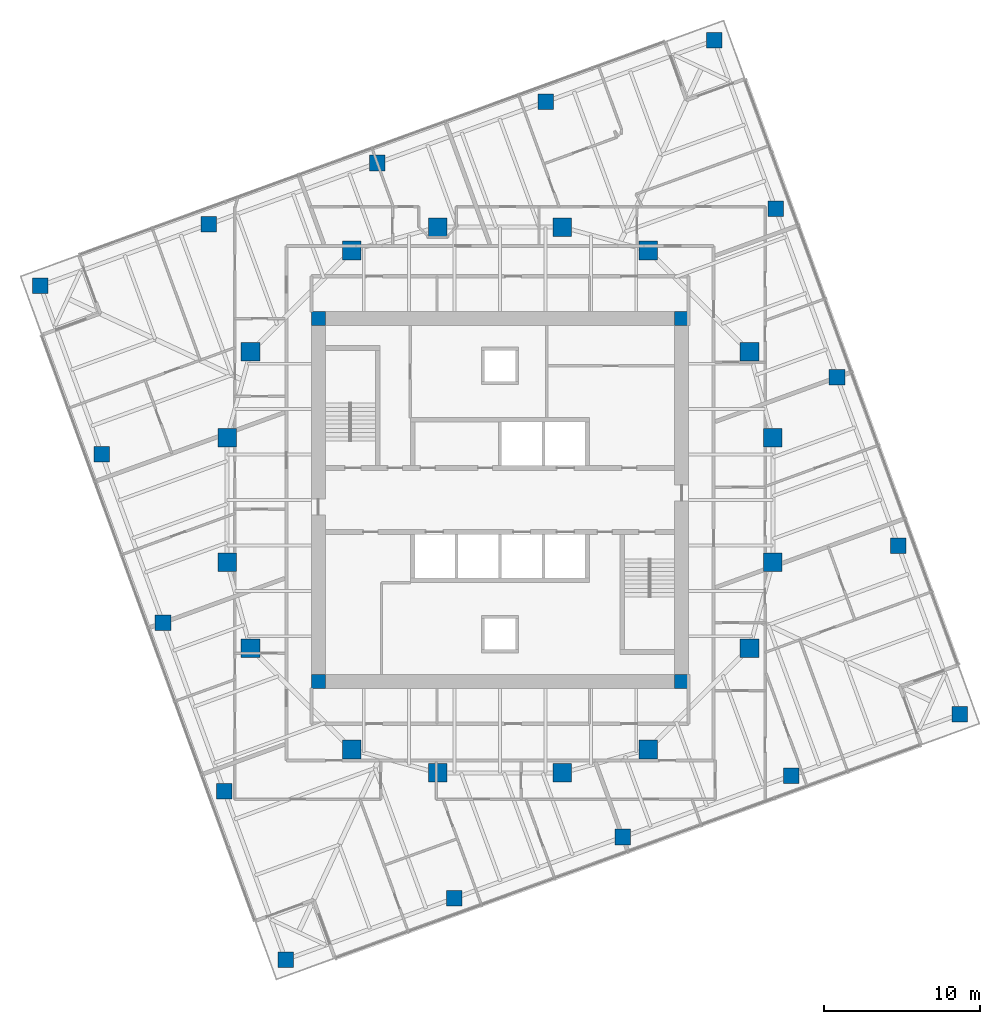
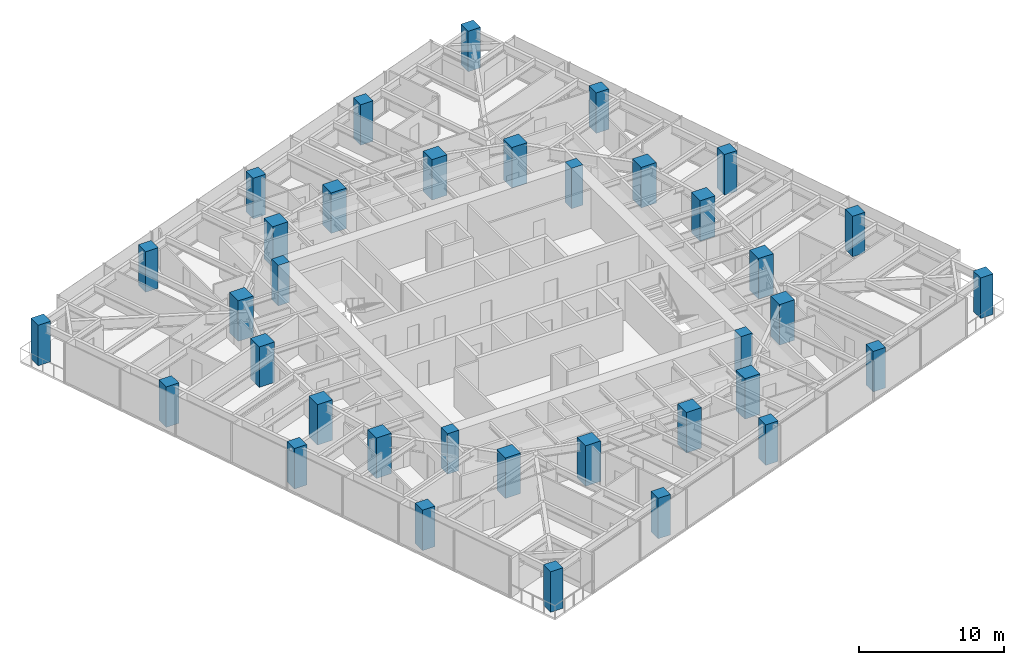
# One storey, part 1 of 13: 36 columns.
"""IFC4 building model written with IfcOpenShell, lengths in metres."""

import ifcopenshell
import ifcopenshell.guid

model = None  # the IFC model being written
_history = None  # IfcOwnerHistory: only IFC2X3 demands one
_inside = {}  # id of a spatial element -> (the spatial element, [elements in it])
_under = {}  # id of a project, library or spatial element -> (it, [spatial elements below it])
_declared = {}  # id of a project -> (the project, [libraries it declares])
_typed = {}  # id of a type object -> (the type object, [elements of that type])
_made_of = {}  # id of a material, layer set ... -> (it, [elements and type objects made of it])


def new_model(schema):
    """Start an empty IFC model of exactly this schema.

    Asked for "IFC4X3", IfcOpenShell would pick the latest addendum, in which some entities
    have other attributes; the version numbers below select the first issue.
    IFC2X3 requires an IfcOwnerHistory on every rooted entity: one is made here for all.
    """
    global model, _history
    if schema == "IFC4X3":
        model = ifcopenshell.file(schema_version=(4, 3, 0, 0))
    else:
        model = ifcopenshell.file(schema=schema)
    _inside.clear()
    _under.clear()
    _declared.clear()
    _typed.clear()
    _made_of.clear()
    _history = None
    if model.schema == "IFC2X3":
        org = make("IfcOrganization", Name="unknown")
        user = make(
            "IfcPersonAndOrganization",
            ThePerson=make("IfcPerson", FamilyName="unknown"),
            TheOrganization=org,
        )
        app = make(
            "IfcApplication",
            ApplicationDeveloper=org,
            Version="unknown",
            ApplicationFullName="unknown",
            ApplicationIdentifier="unknown",
        )
        _history = make(
            "IfcOwnerHistory",
            OwningUser=user,
            OwningApplication=app,
            ChangeAction="ADDED",
            CreationDate=0,
        )
    return model


def make(cls, **values):
    """One entity of the class cls with the attributes given. An attribute that is None is left unset."""
    return model.create_entity(
        cls, **{name: value for name, value in values.items() if value is not None}
    )


def rooted(cls, **values):
    """An entity with a GlobalId (a new one), such as an element, a storey or a relation."""
    return make(cls, GlobalId=ifcopenshell.guid.new(), OwnerHistory=_history, **values)


def si_unit(unit_type, name, prefix=None):
    """IfcSIUnit, for example si_unit("LENGTHUNIT", "METRE", prefix="MILLI")."""
    return make("IfcSIUnit", UnitType=unit_type, Prefix=prefix, Name=name)


def assignment(units):
    """IfcUnitAssignment: the units of a project."""
    return None if units is None else make("IfcUnitAssignment", Units=units)


def point(xyz):
    """IfcCartesianPoint."""
    return None if xyz is None else make("IfcCartesianPoint", Coordinates=xyz)


def direction(xyz):
    """IfcDirection."""
    return None if xyz is None else make("IfcDirection", DirectionRatios=xyz)


def frame(location, z_axis=None, x_axis=None):
    """IfcAxis2Placement3D, a coordinate frame: its origin and axes. An axis left out is left unset."""
    return make(
        "IfcAxis2Placement3D",
        Location=point(location),
        Axis=direction(z_axis),
        RefDirection=direction(x_axis),
    )


def frame_2d(location, x_axis=None):
    """IfcAxis2Placement2D, a coordinate frame in the plane: its origin and x axis."""
    return make(
        "IfcAxis2Placement2D", Location=point(location), RefDirection=direction(x_axis)
    )


def origin():
    """The frame at (0, 0, 0) with its axes left unset."""
    return frame((0.0, 0.0, 0.0))


def origin_2d():
    """The frame at (0, 0) in the plane with its x axis left unset."""
    return frame_2d((0.0, 0.0))


def place(relative_to, where):
    """IfcLocalPlacement: puts the frame where relative to a parent placement (None: the world)."""
    return make(
        "IfcLocalPlacement", PlacementRelTo=relative_to, RelativePlacement=where
    )


def context(
    kind, dimensions, precision=None, world=None, true_north=None, identifier=None
):
    """IfcGeometricRepresentationContext, for example the 3D "Model" context."""
    return make(
        "IfcGeometricRepresentationContext",
        ContextIdentifier=identifier,
        ContextType=kind,
        CoordinateSpaceDimension=dimensions,
        Precision=precision,
        WorldCoordinateSystem=world,
        TrueNorth=true_north,
    )


def subcontext(parent, identifier, kind, view, scale=None):
    """IfcGeometricRepresentationSubContext, for example "Body" below "Model"."""
    return make(
        "IfcGeometricRepresentationSubContext",
        ContextIdentifier=identifier,
        ContextType=kind,
        ParentContext=parent,
        TargetScale=scale,
        TargetView=view,
    )


def project(units=None, contexts=None):
    """IfcProject with its units and contexts."""
    return rooted(
        "IfcProject",
        Name="project",
        RepresentationContexts=contexts,
        UnitsInContext=assignment(units),
    )


def spatial(cls, under=None, at=None, **own):
    """A site, building, storey or space (cls), placed at a placement, below another one or the project."""
    s = rooted(cls, ObjectPlacement=at, **own)
    if under is not None:
        _under.setdefault(under.id(), (under, []))[1].append(s)
    return s


def profile(cls, at=None, kind="AREA", **sizes):
    """A parametric profile (cls). Its sizes go by their IFC names, for example OverallWidth=200.0."""
    return make(cls, ProfileType=kind, Position=at, **sizes)


def rectangle(**sizes):
    """IfcRectangleProfileDef."""
    return profile("IfcRectangleProfileDef", **sizes)


def extrude(swept, where, along, depth):
    """IfcExtrudedAreaSolid: the profile swept, set in the frame where, extruded along a direction by depth."""
    return make(
        "IfcExtrudedAreaSolid",
        SweptArea=swept,
        Position=where,
        ExtrudedDirection=direction(along),
        Depth=depth,
    )


def shape(context_of_items, identifier, shape_type, items):
    """IfcShapeRepresentation: the items that make up one representation, for example the "Body"."""
    return make(
        "IfcShapeRepresentation",
        ContextOfItems=context_of_items,
        RepresentationIdentifier=identifier,
        RepresentationType=shape_type,
        Items=items,
    )


def material(Name=None, Category=None):
    """IfcMaterial."""
    return make("IfcMaterial", Name=Name, Category=Category)


def material_profile(
    of_material, cross_section, Name=None, Category=None, Priority=None
):
    """IfcMaterialProfile: a cross section and its material."""
    return make(
        "IfcMaterialProfile",
        Name=Name,
        Material=of_material,
        Profile=cross_section,
        Priority=Priority,
        Category=Category,
    )


def profile_set(profiles, Name=None, composite=None):
    """IfcMaterialProfileSet."""
    return make(
        "IfcMaterialProfileSet",
        Name=Name,
        MaterialProfiles=profiles,
        CompositeProfile=composite,
    )


def made_of(thing, what):
    """Note that an element or type object is made of a material, layer set ...; save() writes the relation."""
    if what is not None:
        _made_of.setdefault(what.id(), (what, []))[1].append(thing)
    return thing


def type_object(cls, material=None, **own):
    """A type object (cls), such as IfcWallType, which elements share."""
    return made_of(rooted(cls, **own), material)


def element(
    cls,
    number,
    at=None,
    inside=None,
    cuts=None,
    type_object=None,
    material=None,
    context=None,
    identifier="Body",
    shape_type=None,
    held_by="IfcProductDefinitionShape",
    body=None,
    shapes=None,
    **own,
):
    """One element of the class cls, such as IfcWall. Its Tag is "e" and its number.

    at: its placement. inside: the storey or other place that contains it. cuts: it is an
    opening in that element (IfcRelVoidsElement). A single representation is given by context,
    identifier, shape_type and body (its items); several are given by shapes. held_by: the class
    of the entity that holds the representations. save() writes the other relations.
    """
    e = rooted(cls, Tag="e%d" % number, ObjectPlacement=at, **own)
    if body is not None:
        shapes = [shape(context, identifier, shape_type, body)]
    if shapes is not None:
        e.Representation = make(held_by, Representations=shapes)
    if inside is not None:
        _inside.setdefault(inside.id(), (inside, []))[1].append(e)
    if cuts is not None:
        rooted(
            "IfcRelVoidsElement", RelatingBuildingElement=cuts, RelatedOpeningElement=e
        )
    if type_object is not None:
        _typed.setdefault(type_object.id(), (type_object, []))[1].append(e)
    return made_of(e, material)


def aggregate(whole, parts):
    """IfcRelAggregates: a whole, such as a stair, and the parts it consists of."""
    return rooted("IfcRelAggregates", RelatingObject=whole, RelatedObjects=parts)


def save(model, path):
    """Write the relations noted so far, then the file.

    IfcRelAggregates (storeys below a building ...), IfcRelContainedInSpatialStructure (elements
    in a storey), IfcRelDefinesByType, IfcRelAssociatesMaterial and IfcRelDeclares: one each for
    every whole, place, type object, material and project.
    """
    for whole, parts in _under.values():
        aggregate(whole, parts)
    for where, things in _inside.values():
        rooted(
            "IfcRelContainedInSpatialStructure",
            RelatedElements=things,
            RelatingStructure=where,
        )
    for kind, things in _typed.values():
        rooted("IfcRelDefinesByType", RelatedObjects=things, RelatingType=kind)
    for what, things in _made_of.values():
        rooted("IfcRelAssociatesMaterial", RelatedObjects=things, RelatingMaterial=what)
    for by, libraries in _declared.values():
        rooted("IfcRelDeclares", RelatingContext=by, RelatedDefinitions=libraries)
    model.write(path)


model = new_model("IFC4")

# Units and contexts
model_context = context("Model", 3, precision=1e-05, world=origin(), true_north=direction((0.0, 1.0)))
body_context = subcontext(model_context, "Body", "Model", "MODEL_VIEW")
ifc_project = project(units=[si_unit("LENGTHUNIT", "METRE"), si_unit("AREAUNIT", "SQUARE_METRE"), si_unit("VOLUMEUNIT", "CUBIC_METRE"), si_unit("PLANEANGLEUNIT", "RADIAN"), si_unit("MASSUNIT", "GRAM", prefix="KILO")], contexts=[model_context])

# Site, building, storey
site_placement = place(None, origin())
site = spatial("IfcSite", under=ifc_project, at=site_placement, CompositionType="ELEMENT")
building_placement = place(site_placement, origin())
building = spatial("IfcBuilding", under=site, at=building_placement, Name="Torsade Residences", CompositionType="ELEMENT")
storey_placement = place(building_placement, frame((0.0, 0.0, 147.199951171875)))
storey = spatial("IfcBuildingStorey", under=building, at=storey_placement, Name="L40", CompositionType="ELEMENT", Elevation=147.199951171875)

# Columns
ifc_material_1 = material(Name="Concrete 80 MPa", Category="concrete")
ifc_material_profile_1 = material_profile(ifc_material_1, rectangle(XDim=0.89990234375, YDim=0.89990234375, at=origin_2d()), Name="RC 900x900")
ifc_profile_set_1 = profile_set([ifc_material_profile_1], Name="Concrete 80 MPa")
column_type_1 = type_object("IfcColumnType", Name="CORE CORNER COLUMN RC 900x900", PredefinedType="COLUMN", material=ifc_profile_set_1)
for number, where, z_axis, x_axis, name in (
    (1, (28.35009765625, 18.35009765625, 0.0), (0.0, 0.0, 1.0), (1.0, 0.0, 0.0), "Core corner column CC1 L40"),
    (2, (51.64990234375, 18.35009765625, 0.0), (0.0, 0.0, 1.0), (1.0, 0.0, 0.0), "Core corner column CC2 L40"),
    (3, (51.64990234375, 41.64990234375, 0.0), (0.0, 0.0, 1.0), (1.0, 0.0, 0.0), "Core corner column CC3 L40"),
    (4, (28.35009765625, 41.64990234375, 0.0), (0.0, 0.0, 1.0), (1.0, 0.0, 0.0), "Core corner column CC4 L40"),
):
    element("IfcColumn", number, at=place(storey_placement, frame(where, z_axis=z_axis, x_axis=x_axis)), inside=storey, type_object=column_type_1, Name=name, PredefinedType="COLUMN", context=body_context, shape_type="SweptSolid", body=[
        extrude(rectangle(XDim=0.89990234375, YDim=0.89990234375, at=origin_2d()), origin(), (0.0, 0.0, 1.0), 3.400146484375),
    ])
ifc_material_2 = material(Name="Concrete 80 MPa", Category="concrete")
ifc_material_profile_2 = material_profile(ifc_material_2, rectangle(XDim=1.199951171875, YDim=1.199951171875, at=origin_2d()), Name="RC 1200x1200")
ifc_profile_set_2 = profile_set([ifc_material_profile_2], Name="Concrete 80 MPa")
column_type_2 = type_object("IfcColumnType", Name="INNER RING COLUMN RC 1200x1200", PredefinedType="COLUMN", material=ifc_profile_set_2)
for number, where, z_axis, x_axis, name in (
    (5, (57.5, 26.0, 0.0), (0.0, 0.0, 1.0), (1.0, 0.0, 0.0), "Inner ring column IR01 L40"),
    (6, (57.5, 34.0, 0.0), (0.0, 0.0, 1.0), (1.0, 0.0, 0.0), "Inner ring column IR02 L40"),
    (7, (56.0, 39.5, 0.0), (0.0, 0.0, 1.0), (1.0, 0.0, 0.0), "Inner ring column IR03 L40"),
    (8, (49.5, 46.0, 0.0), (0.0, 0.0, 1.0), (1.0, 0.0, 0.0), "Inner ring column IR04 L40"),
    (9, (44.0, 47.5, 0.0), (0.0, 0.0, 1.0), (1.0, 0.0, 0.0), "Inner ring column IR05 L40"),
    (10, (36.0, 47.5, 0.0), (0.0, 0.0, 1.0), (1.0, 0.0, 0.0), "Inner ring column IR06 L40"),
    (11, (30.5, 46.0, 0.0), (0.0, 0.0, 1.0), (1.0, 0.0, 0.0), "Inner ring column IR07 L40"),
    (12, (24.0, 39.5, 0.0), (0.0, 0.0, 1.0), (1.0, 0.0, 0.0), "Inner ring column IR08 L40"),
    (13, (22.5, 34.0, 0.0), (0.0, 0.0, 1.0), (1.0, 0.0, 0.0), "Inner ring column IR09 L40"),
    (14, (22.5, 26.0, 0.0), (0.0, 0.0, 1.0), (1.0, 0.0, 0.0), "Inner ring column IR10 L40"),
    (15, (24.0, 20.5, 0.0), (0.0, 0.0, 1.0), (1.0, 0.0, 0.0), "Inner ring column IR11 L40"),
    (16, (30.5, 14.0, 0.0), (0.0, 0.0, 1.0), (1.0, 0.0, 0.0), "Inner ring column IR12 L40"),
    (17, (36.0, 12.5, 0.0), (0.0, 0.0, 1.0), (1.0, 0.0, 0.0), "Inner ring column IR13 L40"),
    (18, (44.0, 12.5, 0.0), (0.0, 0.0, 1.0), (1.0, 0.0, 0.0), "Inner ring column IR14 L40"),
    (19, (49.5, 14.0, 0.0), (0.0, 0.0, 1.0), (1.0, 0.0, 0.0), "Inner ring column IR15 L40"),
    (20, (56.0, 20.5, 0.0), (0.0, 0.0, 1.0), (1.0, 0.0, 0.0), "Inner ring column IR16 L40"),
):
    element("IfcColumn", number, at=place(storey_placement, frame(where, z_axis=z_axis, x_axis=x_axis)), inside=storey, type_object=column_type_2, Name=name, PredefinedType="COLUMN", context=body_context, shape_type="SweptSolid", body=[
        extrude(rectangle(XDim=1.199951171875, YDim=1.199951171875, at=origin_2d()), origin(), (0.0, 0.0, 1.0), 3.400146484375),
    ])
ifc_material_3 = material(Name="Concrete 80 MPa", Category="concrete")
ifc_material_profile_3 = material_profile(ifc_material_3, rectangle(XDim=1.0, YDim=1.0, at=origin_2d()), Name="RC 1000x1000")
ifc_profile_set_3 = profile_set([ifc_material_profile_3], Name="Concrete 80 MPa")
column_type_3 = type_object("IfcColumnType", Name="TOWER COLUMN RC 1000x1000", PredefinedType="COLUMN", material=ifc_profile_set_3)
for number, where, z_axis, x_axis, name in (
    (21, (26.25341796875, 0.5205078125, 0.0), (0.0, 0.0, 1.0), (1.0, 0.0, 0.0), "Column TC5-01 L40"),
    (22, (37.06005859375, 4.453857421875, 0.0), (0.0, 0.0, 1.0), (1.0, 0.0, 0.0), "Column TC5-02 L40"),
    (23, (47.866455078125, 8.386962890625, 0.0), (0.0, 0.0, 1.0), (1.0, 0.0, 0.0), "Column TC5-03 L40"),
    (24, (58.6728515625, 12.3203125, 0.0), (0.0, 0.0, 1.0), (1.0, 0.0, 0.0), "Column TC5-04 L40"),
    (25, (69.4794921875, 16.25341796875, 0.0), (0.0, 0.0, 1.0), (1.0, 0.0, 0.0), "Column TC5-05 L40"),
    (26, (65.546142578125, 27.06005859375, 0.0), (0.0, 0.0, 1.0), (1.0, 0.0, 0.0), "Column TC5-06 L40"),
    (27, (61.613037109375, 37.866455078125, 0.0), (0.0, 0.0, 1.0), (1.0, 0.0, 0.0), "Column TC5-07 L40"),
    (28, (57.6796875, 48.6728515625, 0.0), (0.0, 0.0, 1.0), (1.0, 0.0, 0.0), "Column TC5-08 L40"),
    (29, (53.74658203125, 59.4794921875, 0.0), (0.0, 0.0, 1.0), (1.0, 0.0, 0.0), "Column TC5-09 L40"),
    (30, (42.93994140625, 55.546142578125, 0.0), (0.0, 0.0, 1.0), (1.0, 0.0, 0.0), "Column TC5-10 L40"),
    (31, (32.133544921875, 51.613037109375, 0.0), (0.0, 0.0, 1.0), (1.0, 0.0, 0.0), "Column TC5-11 L40"),
    (32, (21.3271484375, 47.6796875, 0.0), (0.0, 0.0, 1.0), (1.0, 0.0, 0.0), "Column TC5-12 L40"),
    (33, (10.5205078125, 43.74658203125, 0.0), (0.0, 0.0, 1.0), (1.0, 0.0, 0.0), "Column TC5-13 L40"),
    (34, (14.453857421875, 32.93994140625, 0.0), (0.0, 0.0, 1.0), (1.0, 0.0, 0.0), "Column TC5-14 L40"),
    (35, (18.386962890625, 22.133544921875, 0.0), (0.0, 0.0, 1.0), (1.0, 0.0, 0.0), "Column TC5-15 L40"),
    (36, (22.3203125, 11.3271484375, 0.0), (0.0, 0.0, 1.0), (1.0, 0.0, 0.0), "Column TC5-16 L40"),
):
    element("IfcColumn", number, at=place(storey_placement, frame(where, z_axis=z_axis, x_axis=x_axis)), inside=storey, type_object=column_type_3, Name=name, PredefinedType="COLUMN", context=body_context, shape_type="SweptSolid", body=[
        extrude(rectangle(XDim=1.0, YDim=1.0, at=origin_2d()), origin(), (0.0, 0.0, 1.0), 3.400146484375),
    ])

save(model, "model.ifc")
